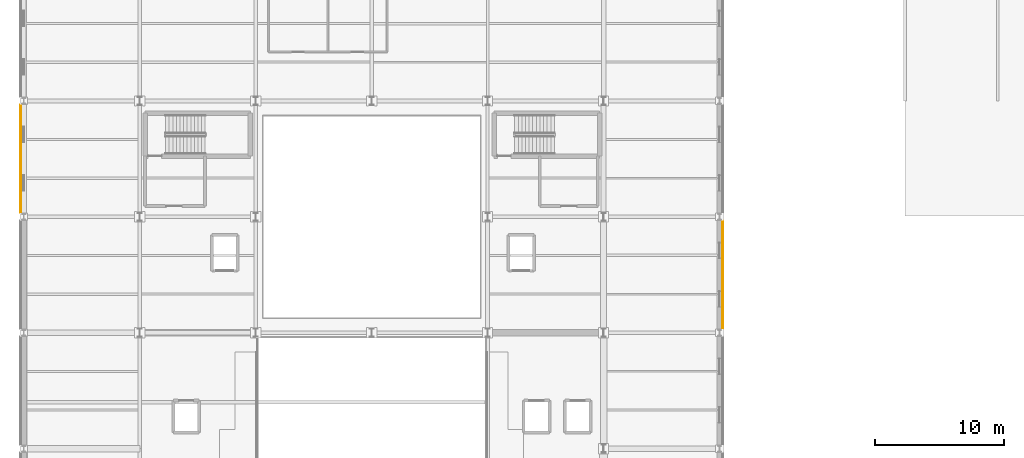
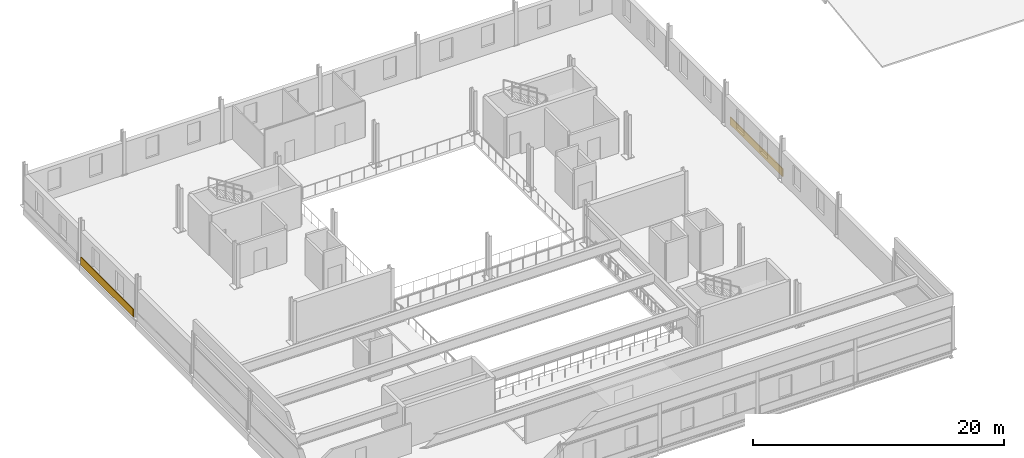
# One storey, part 14 of 17: 2 coverings.
"""IFC4 building model written with IfcOpenShell, lengths in metres."""

from ifc_helpers import new_model, si_unit, direction, frame, origin, origin_2d, place, context, subcontext, project, spatial, rectangle, extrude, material, layer, layer_set, type_object, element, save


model = new_model("IFC4")

# Units and contexts
model_context = context("Model", 3, precision=1e-05, world=origin(), true_north=direction((0.0, 1.0)))
body_context = subcontext(model_context, "Body", "Model", "MODEL_VIEW")
ifc_project = project(units=[si_unit("LENGTHUNIT", "METRE"), si_unit("AREAUNIT", "SQUARE_METRE"), si_unit("VOLUMEUNIT", "CUBIC_METRE"), si_unit("PLANEANGLEUNIT", "RADIAN"), si_unit("MASSUNIT", "GRAM", prefix="KILO")], contexts=[model_context])

# Site, building, storey
site_placement = place(None, origin())
site = spatial("IfcSite", under=ifc_project, at=site_placement, CompositionType="ELEMENT")
building_placement = place(site_placement, origin())
building = spatial("IfcBuilding", under=site, at=building_placement, Name="Sundgate Opera House", CompositionType="ELEMENT")
storey_placement = place(building_placement, frame((0.0, 0.0, 26.39990234375)))
storey = spatial("IfcBuildingStorey", under=building, at=storey_placement, Name="L05", CompositionType="ELEMENT", Elevation=26.39990234375)

# Coverings
ifc_material_1 = material(Name="Deep-carved Komstad limestone relief panel", Category="masonry")
ifc_layer_1 = layer(ifc_material_1, 0.094970703125)
ifc_layer_set_1 = layer_set([ifc_layer_1], Name="Deep-carved Komstad limestone relief panel")
covering_type_1 = type_object("IfcCoveringType", Name="CV-TRENC-DEEP", PredefinedType="CLADDING", material=ifc_layer_set_1)
covering_1_placement = place(storey_placement, frame((26.757568359375, 73.5, 0.045166015625), z_axis=(0.0, 0.0, 1.0), x_axis=(0.0, 1.0, 0.0)))
element("IfcCovering", 1, at=covering_1_placement, inside=storey, type_object=covering_type_1, Name="L05 Trencadis 750mm Relief Band CV0093", PredefinedType="CLADDING", context=body_context, shape_type="SweptSolid", body=[
    extrude(rectangle(XDim=8.360107421875, YDim=0.074951171875, at=origin_2d()), origin(), (0.0, 0.0, 1.0), 0.75),
])
ifc_material_2 = material(Name="Frost-proof vitrified stoneware trencadis relief tile", Category="masonry")
ifc_layer_2 = layer(ifc_material_2, 0.074951171875)
ifc_layer_set_2 = layer_set([ifc_layer_2], Name="Frost-proof vitrified stoneware trencadis relief tile")
covering_type_2 = type_object("IfcCoveringType", Name="CV-TRENC-RELIEF", PredefinedType="CLADDING", material=ifc_layer_set_2)
covering_2_placement = place(storey_placement, frame((81.242431640625, 64.5, 0.045166015625), z_axis=(0.0, 0.0, 1.0), x_axis=(0.0, 1.0, 0.0)))
element("IfcCovering", 2, at=covering_2_placement, inside=storey, type_object=covering_type_2, Name="L05 Trencadis 750mm Relief Band CV0092", PredefinedType="CLADDING", context=body_context, shape_type="SweptSolid", body=[
    extrude(rectangle(XDim=8.360107421875, YDim=0.074951171875, at=origin_2d()), origin(), (0.0, 0.0, 1.0), 0.75),
])

save(model, "model.ifc")
